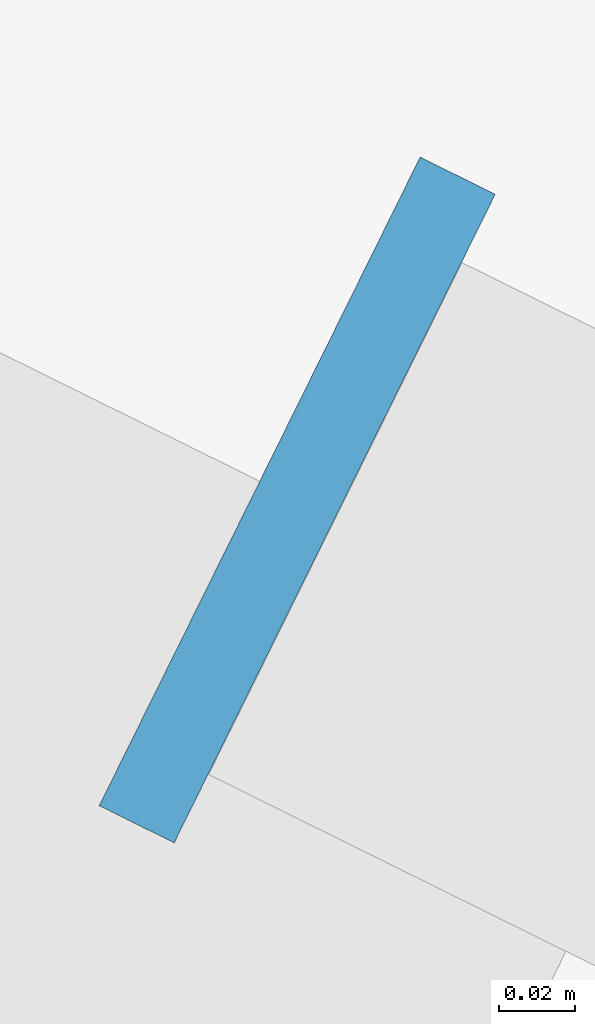
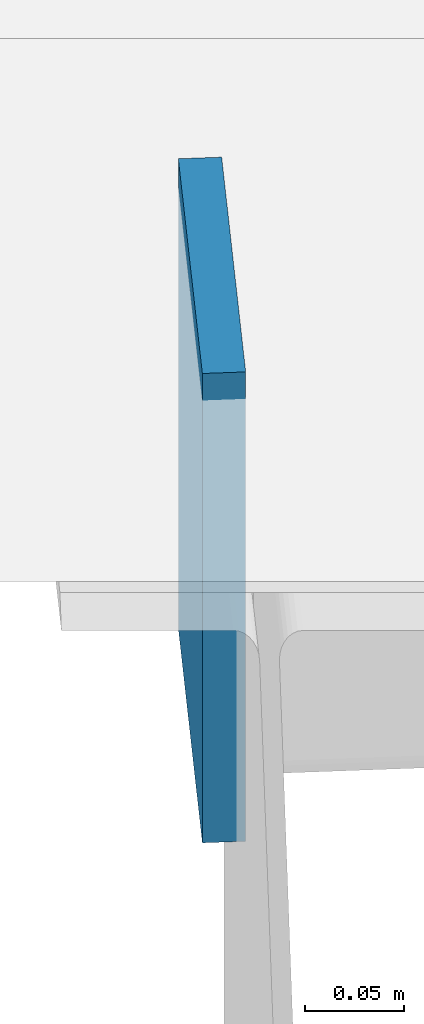
# One storey, part 33 of 51: 1 plate.
"""IFC4 building model written with IfcOpenShell, lengths in metres."""

from ifc_helpers import new_model, si_unit, direction, frame, origin, origin_2d, place, context, subcontext, project, spatial, rectangle, extrude, material, layer, layer_set, type_object, element, save


model = new_model("IFC4")

# Units and contexts
model_context = context("Model", 3, precision=1e-05, world=origin(), true_north=direction((0.0, 1.0)))
body_context = subcontext(model_context, "Body", "Model", "MODEL_VIEW")
ifc_project = project(units=[si_unit("LENGTHUNIT", "METRE"), si_unit("AREAUNIT", "SQUARE_METRE"), si_unit("VOLUMEUNIT", "CUBIC_METRE"), si_unit("PLANEANGLEUNIT", "RADIAN"), si_unit("MASSUNIT", "GRAM", prefix="KILO")], contexts=[model_context])

# Site, building, storey
site_placement = place(None, origin())
site = spatial("IfcSite", under=ifc_project, at=site_placement, CompositionType="ELEMENT")
building_placement = place(site_placement, origin())
building = spatial("IfcBuilding", under=site, at=building_placement, Name="Wrenclough Park School", CompositionType="ELEMENT")
storey_placement = place(building_placement, frame((0.0, 0.0, 16.800048828125)))
storey = spatial("IfcBuildingStorey", under=building, at=storey_placement, Name="L04", CompositionType="ELEMENT", Elevation=16.800048828125)

# Plate
ifc_material = material(Name="Structural steel S355", Category="steel")
ifc_layer = layer(ifc_material, 0.2900390625)
ifc_layer_set = layer_set([ifc_layer], Name="Structural steel S355")
plate_type = type_object("IfcPlateType", Name="STR-PL-EP250", PredefinedType="SHEET", material=ifc_layer_set)
plate_placement = place(storey_placement, frame((135.2236328125, 120.9130859375, -0.5), z_axis=(0.0, 0.0, 1.0), x_axis=(0.896254315973, -0.443540529265, 0.0)))
element("IfcPlate", 1, at=plate_placement, inside=storey, type_object=plate_type, Name="W45 eave fascia L1 start sealing end-cap plate", PredefinedType="SHEET", context=body_context, shape_type="SweptSolid", body=[
    extrude(rectangle(XDim=0.02197265625, YDim=0.18994140625, at=origin_2d()), origin(), (0.0, 0.0, 1.0), 0.2900390625),
])

save(model, "model.ifc")
